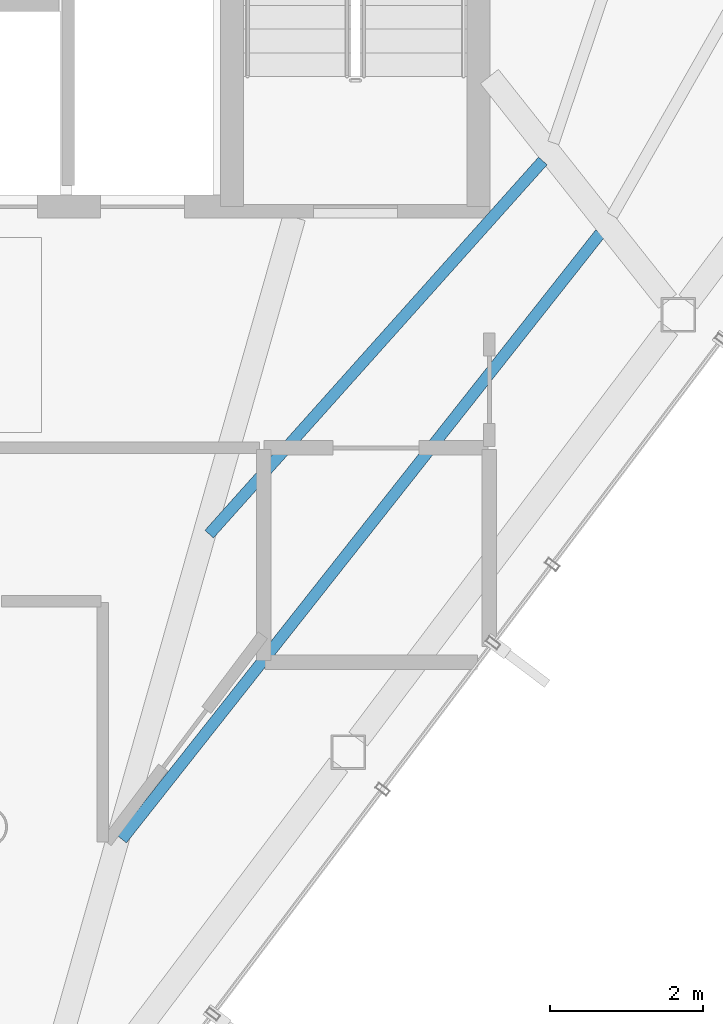
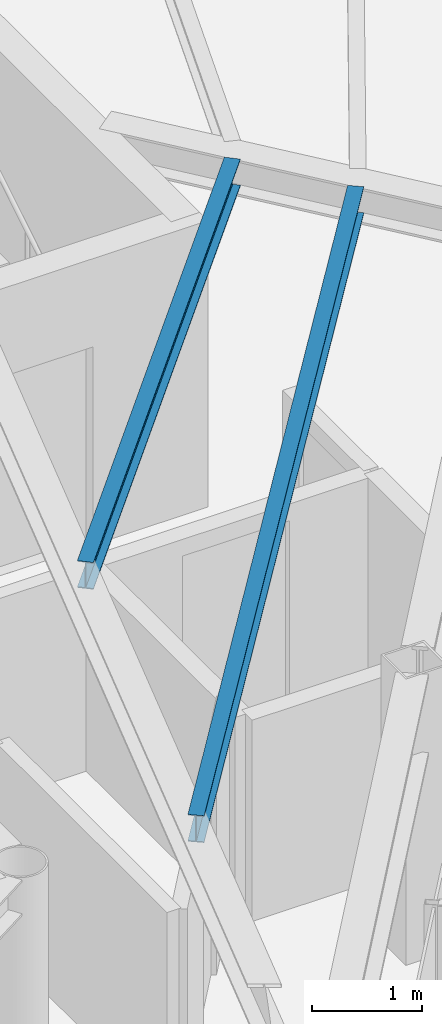
# One storey, part 9 of 23: 2 beams.
"""IFC4 building model written with IfcOpenShell, lengths in metres."""

from ifc_helpers import new_model, si_unit, direction, frame, origin, origin_2d, place, context, subcontext, project, spatial, i_section, extrude, material, material_profile, profile_set, type_object, element, save


model = new_model("IFC4")

# Units and contexts
model_context = context("Model", 3, precision=1e-05, world=origin(), true_north=direction((0.0, 1.0)))
body_context = subcontext(model_context, "Body", "Model", "MODEL_VIEW")
ifc_project = project(units=[si_unit("LENGTHUNIT", "METRE"), si_unit("AREAUNIT", "SQUARE_METRE"), si_unit("VOLUMEUNIT", "CUBIC_METRE"), si_unit("PLANEANGLEUNIT", "RADIAN"), si_unit("MASSUNIT", "GRAM", prefix="KILO")], contexts=[model_context])

# Site, building, storey
site_placement = place(None, origin())
site = spatial("IfcSite", under=ifc_project, at=site_placement, CompositionType="ELEMENT")
building_placement = place(site_placement, origin())
building = spatial("IfcBuilding", under=site, at=building_placement, Name="Zarrinselat Tower", CompositionType="ELEMENT")
storey_placement = place(building_placement, frame((0.0, 0.0, 282.199951171875)))
storey = spatial("IfcBuildingStorey", under=building, at=storey_placement, Name="L72", CompositionType="ELEMENT", Elevation=282.199951171875)

# Beams
ifc_material = material(Name="Steel S355J2", Category="steel")
ifc_material_profile = material_profile(ifc_material, i_section(OverallWidth=0.14990234375, OverallDepth=0.300048828125, WebThickness=0.007080078125, FlangeThickness=0.0107421875, at=origin_2d()), Name="IPE 300")
ifc_profile_set = profile_set([ifc_material_profile], Name="Steel S355J2")
beam_type = type_object("IfcBeamType", Name="BM-IPE300", PredefinedType="JOIST", material=ifc_profile_set)
beam_1_placement = place(storey_placement, frame((43.551025390625, 25.0380859375, 3.030029296875), z_axis=(0.619582267076, 0.7849317259, 0.0), x_axis=(-0.7849317259, 0.619582267076, 0.0)))
element("IfcBeam", 1, at=beam_1_placement, inside=storey, type_object=beam_type, Name="L72 Composite Floor Joist 3-1", PredefinedType="JOIST", context=body_context, shape_type="SweptSolid", body=[
    extrude(i_section(OverallWidth=0.14990234375, OverallDepth=0.300048828125, WebThickness=0.007080078125, FlangeThickness=0.0107421875, at=origin_2d()), origin(), (0.0, 0.0, 1.0), 10.0830078125),
])
beam_2_placement = place(storey_placement, frame((44.690185546875, 29.023681640625, 3.030029296875), z_axis=(0.666512090217, 0.745494221033, 0.0), x_axis=(-0.745494221033, 0.666512090217, 0.0)))
element("IfcBeam", 2, at=beam_2_placement, inside=storey, type_object=beam_type, Name="L72 Composite Floor Joist 3-2", PredefinedType="JOIST", context=body_context, shape_type="SweptSolid", body=[
    extrude(i_section(OverallWidth=0.14990234375, OverallDepth=0.300048828125, WebThickness=0.007080078125, FlangeThickness=0.0107421875, at=origin_2d()), origin(), (0.0, 0.0, 1.0), 6.53759765625),
])

save(model, "model.ifc")
